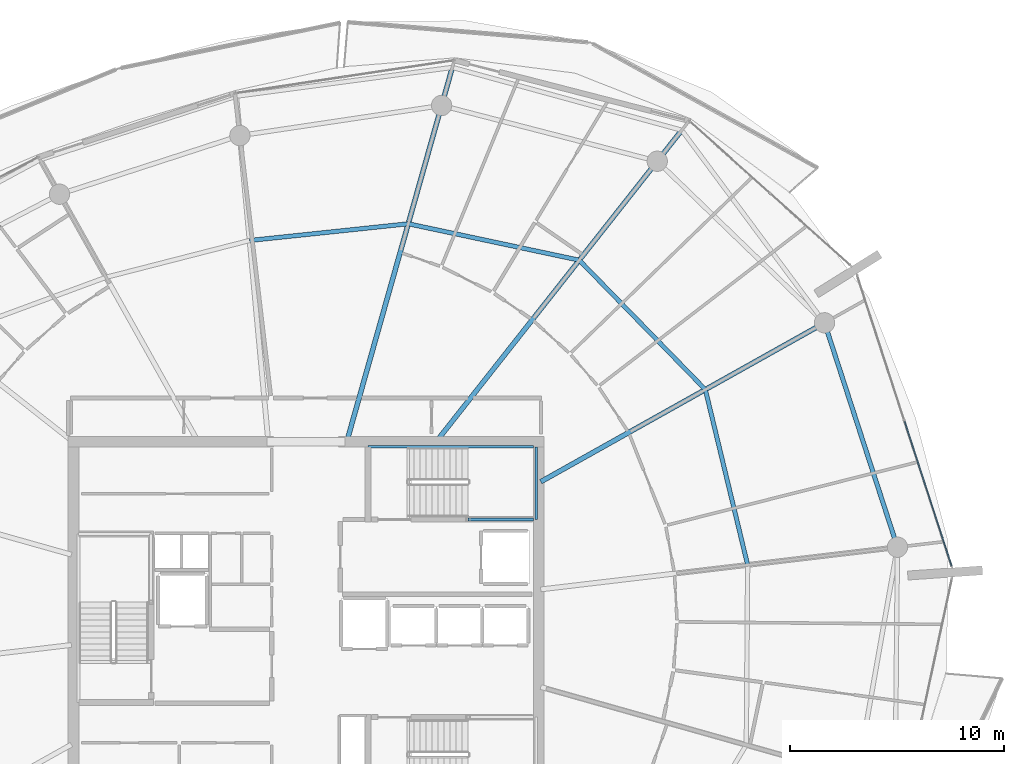
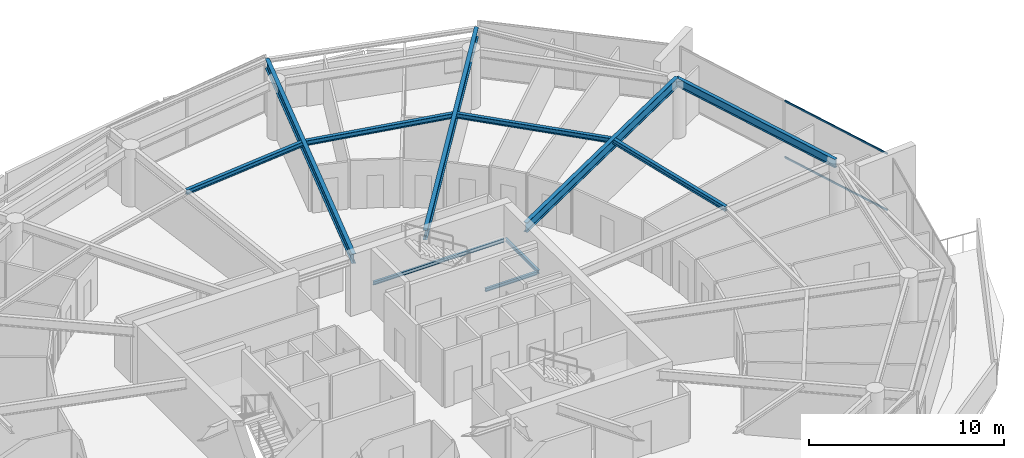
# One storey, part 14 of 31: 11 beams, 2 members, 1 element without a shape of its own.
"""IFC4 building model written with IfcOpenShell, lengths in metres."""

import ifcopenshell
import ifcopenshell.guid

model = None  # the IFC model being written
_history = None  # IfcOwnerHistory: only IFC2X3 demands one
_inside = {}  # id of a spatial element -> (the spatial element, [elements in it])
_under = {}  # id of a project, library or spatial element -> (it, [spatial elements below it])
_declared = {}  # id of a project -> (the project, [libraries it declares])
_typed = {}  # id of a type object -> (the type object, [elements of that type])
_made_of = {}  # id of a material, layer set ... -> (it, [elements and type objects made of it])


def new_model(schema):
    """Start an empty IFC model of exactly this schema.

    Asked for "IFC4X3", IfcOpenShell would pick the latest addendum, in which some entities
    have other attributes; the version numbers below select the first issue.
    IFC2X3 requires an IfcOwnerHistory on every rooted entity: one is made here for all.
    """
    global model, _history
    if schema == "IFC4X3":
        model = ifcopenshell.file(schema_version=(4, 3, 0, 0))
    else:
        model = ifcopenshell.file(schema=schema)
    _inside.clear()
    _under.clear()
    _declared.clear()
    _typed.clear()
    _made_of.clear()
    _history = None
    if model.schema == "IFC2X3":
        org = make("IfcOrganization", Name="unknown")
        user = make(
            "IfcPersonAndOrganization",
            ThePerson=make("IfcPerson", FamilyName="unknown"),
            TheOrganization=org,
        )
        app = make(
            "IfcApplication",
            ApplicationDeveloper=org,
            Version="unknown",
            ApplicationFullName="unknown",
            ApplicationIdentifier="unknown",
        )
        _history = make(
            "IfcOwnerHistory",
            OwningUser=user,
            OwningApplication=app,
            ChangeAction="ADDED",
            CreationDate=0,
        )
    return model


def make(cls, **values):
    """One entity of the class cls with the attributes given. An attribute that is None is left unset."""
    return model.create_entity(
        cls, **{name: value for name, value in values.items() if value is not None}
    )


def rooted(cls, **values):
    """An entity with a GlobalId (a new one), such as an element, a storey or a relation."""
    return make(cls, GlobalId=ifcopenshell.guid.new(), OwnerHistory=_history, **values)


def si_unit(unit_type, name, prefix=None):
    """IfcSIUnit, for example si_unit("LENGTHUNIT", "METRE", prefix="MILLI")."""
    return make("IfcSIUnit", UnitType=unit_type, Prefix=prefix, Name=name)


def assignment(units):
    """IfcUnitAssignment: the units of a project."""
    return None if units is None else make("IfcUnitAssignment", Units=units)


def point(xyz):
    """IfcCartesianPoint."""
    return None if xyz is None else make("IfcCartesianPoint", Coordinates=xyz)


def direction(xyz):
    """IfcDirection."""
    return None if xyz is None else make("IfcDirection", DirectionRatios=xyz)


def frame(location, z_axis=None, x_axis=None):
    """IfcAxis2Placement3D, a coordinate frame: its origin and axes. An axis left out is left unset."""
    return make(
        "IfcAxis2Placement3D",
        Location=point(location),
        Axis=direction(z_axis),
        RefDirection=direction(x_axis),
    )


def frame_2d(location, x_axis=None):
    """IfcAxis2Placement2D, a coordinate frame in the plane: its origin and x axis."""
    return make(
        "IfcAxis2Placement2D", Location=point(location), RefDirection=direction(x_axis)
    )


def origin():
    """The frame at (0, 0, 0) with its axes left unset."""
    return frame((0.0, 0.0, 0.0))


def origin_2d():
    """The frame at (0, 0) in the plane with its x axis left unset."""
    return frame_2d((0.0, 0.0))


def place(relative_to, where):
    """IfcLocalPlacement: puts the frame where relative to a parent placement (None: the world)."""
    return make(
        "IfcLocalPlacement", PlacementRelTo=relative_to, RelativePlacement=where
    )


def context(
    kind, dimensions, precision=None, world=None, true_north=None, identifier=None
):
    """IfcGeometricRepresentationContext, for example the 3D "Model" context."""
    return make(
        "IfcGeometricRepresentationContext",
        ContextIdentifier=identifier,
        ContextType=kind,
        CoordinateSpaceDimension=dimensions,
        Precision=precision,
        WorldCoordinateSystem=world,
        TrueNorth=true_north,
    )


def subcontext(parent, identifier, kind, view, scale=None):
    """IfcGeometricRepresentationSubContext, for example "Body" below "Model"."""
    return make(
        "IfcGeometricRepresentationSubContext",
        ContextIdentifier=identifier,
        ContextType=kind,
        ParentContext=parent,
        TargetScale=scale,
        TargetView=view,
    )


def project(units=None, contexts=None):
    """IfcProject with its units and contexts."""
    return rooted(
        "IfcProject",
        Name="project",
        RepresentationContexts=contexts,
        UnitsInContext=assignment(units),
    )


def spatial(cls, under=None, at=None, **own):
    """A site, building, storey or space (cls), placed at a placement, below another one or the project."""
    s = rooted(cls, ObjectPlacement=at, **own)
    if under is not None:
        _under.setdefault(under.id(), (under, []))[1].append(s)
    return s


def profile(cls, at=None, kind="AREA", **sizes):
    """A parametric profile (cls). Its sizes go by their IFC names, for example OverallWidth=200.0."""
    return make(cls, ProfileType=kind, Position=at, **sizes)


def rectangle(**sizes):
    """IfcRectangleProfileDef."""
    return profile("IfcRectangleProfileDef", **sizes)


def i_section(**sizes):
    """IfcIShapeProfileDef."""
    return profile("IfcIShapeProfileDef", **sizes)


def extrude(swept, where, along, depth):
    """IfcExtrudedAreaSolid: the profile swept, set in the frame where, extruded along a direction by depth."""
    return make(
        "IfcExtrudedAreaSolid",
        SweptArea=swept,
        Position=where,
        ExtrudedDirection=direction(along),
        Depth=depth,
    )


def shape(context_of_items, identifier, shape_type, items):
    """IfcShapeRepresentation: the items that make up one representation, for example the "Body"."""
    return make(
        "IfcShapeRepresentation",
        ContextOfItems=context_of_items,
        RepresentationIdentifier=identifier,
        RepresentationType=shape_type,
        Items=items,
    )


def material(Name=None, Category=None):
    """IfcMaterial."""
    return make("IfcMaterial", Name=Name, Category=Category)


def layer(
    of_material, thickness, ventilated=None, Name=None, Category=None, Priority=None
):
    """IfcMaterialLayer: one layer of a wall or slab, of a material (None: an air gap)."""
    return make(
        "IfcMaterialLayer",
        Material=of_material,
        LayerThickness=thickness,
        IsVentilated=ventilated,
        Name=Name,
        Category=Category,
        Priority=Priority,
    )


def layer_set(layers, Name=None):
    """IfcMaterialLayerSet."""
    return make("IfcMaterialLayerSet", MaterialLayers=layers, LayerSetName=Name)


def material_profile(
    of_material, cross_section, Name=None, Category=None, Priority=None
):
    """IfcMaterialProfile: a cross section and its material."""
    return make(
        "IfcMaterialProfile",
        Name=Name,
        Material=of_material,
        Profile=cross_section,
        Priority=Priority,
        Category=Category,
    )


def profile_set(profiles, Name=None, composite=None):
    """IfcMaterialProfileSet."""
    return make(
        "IfcMaterialProfileSet",
        Name=Name,
        MaterialProfiles=profiles,
        CompositeProfile=composite,
    )


def made_of(thing, what):
    """Note that an element or type object is made of a material, layer set ...; save() writes the relation."""
    if what is not None:
        _made_of.setdefault(what.id(), (what, []))[1].append(thing)
    return thing


def type_object(cls, material=None, **own):
    """A type object (cls), such as IfcWallType, which elements share."""
    return made_of(rooted(cls, **own), material)


def element(
    cls,
    number,
    at=None,
    inside=None,
    cuts=None,
    type_object=None,
    material=None,
    context=None,
    identifier="Body",
    shape_type=None,
    held_by="IfcProductDefinitionShape",
    body=None,
    shapes=None,
    **own,
):
    """One element of the class cls, such as IfcWall. Its Tag is "e" and its number.

    at: its placement. inside: the storey or other place that contains it. cuts: it is an
    opening in that element (IfcRelVoidsElement). A single representation is given by context,
    identifier, shape_type and body (its items); several are given by shapes. held_by: the class
    of the entity that holds the representations. save() writes the other relations.
    """
    e = rooted(cls, Tag="e%d" % number, ObjectPlacement=at, **own)
    if body is not None:
        shapes = [shape(context, identifier, shape_type, body)]
    if shapes is not None:
        e.Representation = make(held_by, Representations=shapes)
    if inside is not None:
        _inside.setdefault(inside.id(), (inside, []))[1].append(e)
    if cuts is not None:
        rooted(
            "IfcRelVoidsElement", RelatingBuildingElement=cuts, RelatedOpeningElement=e
        )
    if type_object is not None:
        _typed.setdefault(type_object.id(), (type_object, []))[1].append(e)
    return made_of(e, material)


def aggregate(whole, parts):
    """IfcRelAggregates: a whole, such as a stair, and the parts it consists of."""
    return rooted("IfcRelAggregates", RelatingObject=whole, RelatedObjects=parts)


def save(model, path):
    """Write the relations noted so far, then the file.

    IfcRelAggregates (storeys below a building ...), IfcRelContainedInSpatialStructure (elements
    in a storey), IfcRelDefinesByType, IfcRelAssociatesMaterial and IfcRelDeclares: one each for
    every whole, place, type object, material and project.
    """
    for whole, parts in _under.values():
        aggregate(whole, parts)
    for where, things in _inside.values():
        rooted(
            "IfcRelContainedInSpatialStructure",
            RelatedElements=things,
            RelatingStructure=where,
        )
    for kind, things in _typed.values():
        rooted("IfcRelDefinesByType", RelatedObjects=things, RelatingType=kind)
    for what, things in _made_of.values():
        rooted("IfcRelAssociatesMaterial", RelatedObjects=things, RelatingMaterial=what)
    for by, libraries in _declared.values():
        rooted("IfcRelDeclares", RelatingContext=by, RelatedDefinitions=libraries)
    model.write(path)


model = new_model("IFC4")

# Units and contexts
model_context = context("Model", 3, precision=1e-05, world=origin(), true_north=direction((0.0, 1.0)))
body_context = subcontext(model_context, "Body", "Model", "MODEL_VIEW")
ifc_project = project(units=[si_unit("LENGTHUNIT", "METRE"), si_unit("AREAUNIT", "SQUARE_METRE"), si_unit("VOLUMEUNIT", "CUBIC_METRE"), si_unit("PLANEANGLEUNIT", "RADIAN"), si_unit("MASSUNIT", "GRAM", prefix="KILO")], contexts=[model_context])

# Site, building, storey
site_placement = place(None, origin())
site = spatial("IfcSite", under=ifc_project, at=site_placement, CompositionType="ELEMENT")
building_placement = place(site_placement, origin())
building = spatial("IfcBuilding", under=site, at=building_placement, Name="Kazma Halo Residences", CompositionType="ELEMENT")
storey_placement = place(building_placement, frame((0.0, 0.0, 275.199951171875)))
storey = spatial("IfcBuildingStorey", under=building, at=storey_placement, Name="L69", CompositionType="ELEMENT", Elevation=275.199951171875)

# Beams
ifc_material_1 = material(Name="Steel S355", Category="steel")
ifc_material_profile_1 = material_profile(ifc_material_1, i_section(OverallWidth=0.22802734375, OverallDepth=0.60791015625, WebThickness=0.01123046875, FlangeThickness=0.017333984375, FilletRadius=0.01806640625, at=origin_2d()), Name="W610x113")
ifc_profile_set_1 = profile_set([ifc_material_profile_1], Name="Steel S355")
beam_type_1 = type_object("IfcBeamType", Name="BM-RAD-W610", PredefinedType="BEAM", material=ifc_profile_set_1)
beam_1_placement = place(storey_placement, frame((59.39990234375, 48.38427734375, 3.2861328125), z_axis=(0.872501636424, 0.488611189432, 0.0), x_axis=(-0.488611189432, 0.872501636424, 0.0)))
element("IfcBeam", 1, at=beam_1_placement, inside=storey, type_object=beam_type_1, Name="L69 radial floor beam 01", PredefinedType="BEAM", context=body_context, shape_type="SweptSolid", body=[
    extrude(i_section(OverallWidth=0.22802734375, OverallDepth=0.60791015625, WebThickness=0.01123046875, FlangeThickness=0.017333984375, FilletRadius=0.01806640625, at=origin_2d()), origin(), (0.0, 0.0, 1.0), 15.209716796875),
])
beam_2_placement = place(storey_placement, frame((54.58251953125, 50.35009765625, 3.2861328125), z_axis=(0.619094367176, 0.785316601461, 0.0), x_axis=(-0.785316601461, 0.619094367176, 0.0)))
element("IfcBeam", 2, at=beam_2_placement, inside=storey, type_object=beam_type_1, Name="L69 radial floor beam 02", PredefinedType="BEAM", context=body_context, shape_type="SweptSolid", body=[
    extrude(i_section(OverallWidth=0.22802734375, OverallDepth=0.60791015625, WebThickness=0.01123046875, FlangeThickness=0.017333984375, FilletRadius=0.01806640625, at=origin_2d()), origin(), (0.0, 0.0, 1.0), 18.429931640625),
])
beam_3_placement = place(storey_placement, frame((50.35498046875, 50.35009765625, 3.2861328125), z_axis=(0.271443175073, 0.962454467861, 0.0), x_axis=(-0.962454467861, 0.271443175073, 0.0)))
element("IfcBeam", 3, at=beam_3_placement, inside=storey, type_object=beam_type_1, Name="L69 radial floor beam 03", PredefinedType="BEAM", context=body_context, shape_type="SweptSolid", body=[
    extrude(i_section(OverallWidth=0.22802734375, OverallDepth=0.60791015625, WebThickness=0.01123046875, FlangeThickness=0.017333984375, FilletRadius=0.01806640625, at=origin_2d()), origin(), (0.0, 0.0, 1.0), 18.089111328125),
])
ifc_material_profile_2 = material_profile(ifc_material_1, i_section(OverallWidth=0.202880859375, OverallDepth=0.302978515625, WebThickness=0.007568359375, FlangeThickness=0.01318359375, FilletRadius=0.013916015625, at=origin_2d()), Name="W310x60")
ifc_profile_set_2 = profile_set([ifc_material_profile_2], Name="Steel S355")
beam_type_2 = type_object("IfcBeamType", Name="BM-SEC-W310A", PredefinedType="JOIST", material=ifc_profile_set_2)
beam_4_placement = place(storey_placement, frame((67.0966796875, 52.694580078125, 3.4384765625), z_axis=(-0.697959749995, 0.716136989261, 0.0), x_axis=(-0.716136989261, -0.697959749995, 0.0)))
element("IfcBeam", 4, at=beam_4_placement, inside=storey, type_object=beam_type_2, Name="L69 circumferential floor joist 01", PredefinedType="JOIST", context=body_context, shape_type="SweptSolid", body=[
    extrude(i_section(OverallWidth=0.202880859375, OverallDepth=0.302978515625, WebThickness=0.007568359375, FlangeThickness=0.01318359375, FilletRadius=0.013916015625, at=origin_2d()), origin(), (0.0, 0.0, 1.0), 8.4482421875),
])
beam_5_placement = place(storey_placement, frame((61.2001953125, 58.74462890625, 3.4384765625), z_axis=(-0.97806685939, 0.208291186956, 0.0), x_axis=(-0.208291186956, -0.97806685939, 0.0)))
element("IfcBeam", 5, at=beam_5_placement, inside=storey, type_object=beam_type_2, Name="L69 circumferential floor joist 02", PredefinedType="JOIST", context=body_context, shape_type="SweptSolid", body=[
    extrude(i_section(OverallWidth=0.202880859375, OverallDepth=0.302978515625, WebThickness=0.007568359375, FlangeThickness=0.01318359375, FilletRadius=0.013916015625, at=origin_2d()), origin(), (0.0, 0.0, 1.0), 8.1767578125),
])
beam_6_placement = place(storey_placement, frame((53.202880859375, 60.44775390625, 3.4384765625), z_axis=(-0.994500789339, -0.104729079076, 0.0), x_axis=(0.104729079076, -0.994500789339, 0.0)))
element("IfcBeam", 6, at=beam_6_placement, inside=storey, type_object=beam_type_2, Name="L69 circumferential floor joist 03", PredefinedType="JOIST", context=body_context, shape_type="SweptSolid", body=[
    extrude(i_section(OverallWidth=0.202880859375, OverallDepth=0.302978515625, WebThickness=0.007568359375, FlangeThickness=0.01318359375, FilletRadius=0.013916015625, at=origin_2d()), origin(), (0.0, 0.0, 1.0), 7.459716796875),
])
beam_7_placement = place(storey_placement, frame((69.07421875, 44.494384765625, 3.4384765625), z_axis=(-0.234436822548, 0.972131357499, 0.0), x_axis=(-0.972131357499, -0.234436822548, 0.0)))
element("IfcBeam", 7, at=beam_7_placement, inside=storey, type_object=beam_type_2, Name="L69 circumferential floor joist 16", PredefinedType="JOIST", context=body_context, shape_type="SweptSolid", body=[
    extrude(i_section(OverallWidth=0.202880859375, OverallDepth=0.302978515625, WebThickness=0.007568359375, FlangeThickness=0.01318359375, FilletRadius=0.013916015625, at=origin_2d()), origin(), (0.0, 0.0, 1.0), 8.435302734375),
])
ifc_material_profile_3 = material_profile(ifc_material_1, i_section(OverallWidth=0.208984375, OverallDepth=0.532958984375, WebThickness=0.01025390625, FlangeThickness=0.015625, FilletRadius=0.01611328125, at=origin_2d()), Name="W530x92")
ifc_profile_set_3 = profile_set([ifc_material_profile_3], Name="Steel S355")
beam_type_3 = type_object("IfcBeamType", Name="BM-SPN-W530", PredefinedType="BEAM", material=ifc_profile_set_3)
beam_8_placement = place(storey_placement, frame((76.07958984375, 45.323486328125, 3.323486328125), z_axis=(-0.309015517474, 0.951056996168, 0.0), x_axis=(-0.951056996168, -0.309015517474, 0.0)))
element("IfcBeam", 8, at=beam_8_placement, inside=storey, type_object=beam_type_3, Name="L69 perimeter ring beam 16", PredefinedType="BEAM", context=body_context, shape_type="SweptSolid", body=[
    extrude(i_section(OverallWidth=0.208984375, OverallDepth=0.532958984375, WebThickness=0.01025390625, FlangeThickness=0.015625, FilletRadius=0.01611328125, at=origin_2d()), origin(), (0.0, 0.0, 1.0), 11.032470703125),
])
ifc_material_profile_4 = material_profile(ifc_material_1, i_section(OverallWidth=0.133056640625, OverallDepth=0.20703125, WebThickness=0.005859375, FlangeThickness=0.00830078125, FilletRadius=0.010009765625, at=origin_2d()), Name="W200x26.6")
ifc_profile_set_4 = profile_set([ifc_material_profile_4], Name="Steel S355")
beam_type_4 = type_object("IfcBeamType", Name="BM-TRIM-W200", PredefinedType="BEAM", material=ifc_profile_set_4)
beam_9_placement = place(storey_placement, frame((51.31005859375, 50.02001953125, 1.6201171875), z_axis=(1.0, 0.0, 0.0), x_axis=(0.0, 1.0, 0.0)))
element("IfcBeam", 9, at=beam_9_placement, inside=storey, type_object=beam_type_4, Name="L69 ST-02 landing north wall ledger", PredefinedType="BEAM", context=body_context, shape_type="SweptSolid", body=[
    extrude(i_section(OverallWidth=0.133056640625, OverallDepth=0.20703125, WebThickness=0.005859375, FlangeThickness=0.00830078125, FilletRadius=0.010009765625, at=origin_2d()), origin(), (0.0, 0.0, 1.0), 7.760009765625),
])
beam_10_placement = place(storey_placement, frame((56.0, 46.6201171875, 1.6201171875), z_axis=(1.0, 0.0, 0.0), x_axis=(0.0, 1.0, 0.0)))
element("IfcBeam", 10, at=beam_10_placement, inside=storey, type_object=beam_type_4, Name="L69 ST-02 landing south wall ledger", PredefinedType="BEAM", context=body_context, shape_type="SweptSolid", body=[
    extrude(i_section(OverallWidth=0.133056640625, OverallDepth=0.20703125, WebThickness=0.005859375, FlangeThickness=0.00830078125, FilletRadius=0.010009765625, at=origin_2d()), origin(), (0.0, 0.0, 1.0), 3.070068359375),
])
beam_11_placement = place(storey_placement, frame((59.18994140625, 46.6201171875, 1.6201171875), z_axis=(0.0, 1.0, 0.0), x_axis=(-1.0, 0.0, 0.0)))
element("IfcBeam", 11, at=beam_11_placement, inside=storey, type_object=beam_type_4, Name="L69 ST-02 landing end wall ledger", PredefinedType="BEAM", context=body_context, shape_type="SweptSolid", body=[
    extrude(i_section(OverallWidth=0.133056640625, OverallDepth=0.20703125, WebThickness=0.005859375, FlangeThickness=0.00830078125, FilletRadius=0.010009765625, at=origin_2d()), origin(), (0.0, 0.0, 1.0), 3.39990234375),
])

# Curtain wall, members
ifc_material_2 = material(Name="Aluminium AW-6063 T6 and Triple-Silver Low-E Glass", Category="aluminium")
ifc_layer = layer(ifc_material_2, 0.139892578125)
ifc_layer_set = layer_set([ifc_layer], Name="Aluminium AW-6063 T6 and Triple-Silver Low-E Glass")
curtain_wall_type = type_object("IfcCurtainWallType", Name="CW-SYS-5", PredefinedType="NOTDEFINED", material=ifc_layer_set)
curtain_wall_placement = place(storey_placement, origin())
curtain_wall = element("IfcCurtainWall", 12, at=curtain_wall_placement, inside=storey, type_object=curtain_wall_type, Name="L69 unitised curtain wall B16", PredefinedType="NOTDEFINED")
ifc_material_3 = material(Name="Aluminium AW-6063 T6", Category="aluminium")
ifc_material_profile_5 = material_profile(ifc_material_3, rectangle(XDim=0.06005859375, YDim=0.10498046875, at=origin_2d()), Name="CWT-60x105")
ifc_profile_set_5 = profile_set([ifc_material_profile_5], Name="Aluminium AW-6063 T6")
member_type = type_object("IfcMemberType", Name="CW-SYS-5-TRN", PredefinedType="USERDEFINED", material=ifc_profile_set_5)
member_1_placement = place(storey_placement, frame((78.613525390625, 44.44091796875, 0.030029296875), z_axis=(-0.308995987448, 0.951063341603, 0.0), x_axis=(-0.951063341603, -0.308995987448, 0.0)))
member_1 = element("IfcMember", 13, at=member_1_placement, type_object=member_type, Name="CWS-5 transom 1.1", ObjectType="TRANSOM", PredefinedType="USERDEFINED", context=body_context, shape_type="SweptSolid", body=[
    extrude(rectangle(XDim=0.06005859375, YDim=0.10498046875, at=origin_2d()), origin(), (0.0, 0.0, 1.0), 7.108642578125),
])
member_2_placement = place(storey_placement, frame((78.613525390625, 44.44091796875, 3.56005859375), z_axis=(-0.308995987448, 0.951063341603, 0.0), x_axis=(-0.951063341603, -0.308995987448, 0.0)))
member_2 = element("IfcMember", 14, at=member_2_placement, type_object=member_type, Name="CWS-5 transom 1.2", ObjectType="TRANSOM", PredefinedType="USERDEFINED", context=body_context, shape_type="SweptSolid", body=[
    extrude(rectangle(XDim=0.06005859375, YDim=0.10498046875, at=origin_2d()), origin(), (0.0, 0.0, 1.0), 7.108642578125),
])
aggregate(curtain_wall, [member_1, member_2])

save(model, "model.ifc")
